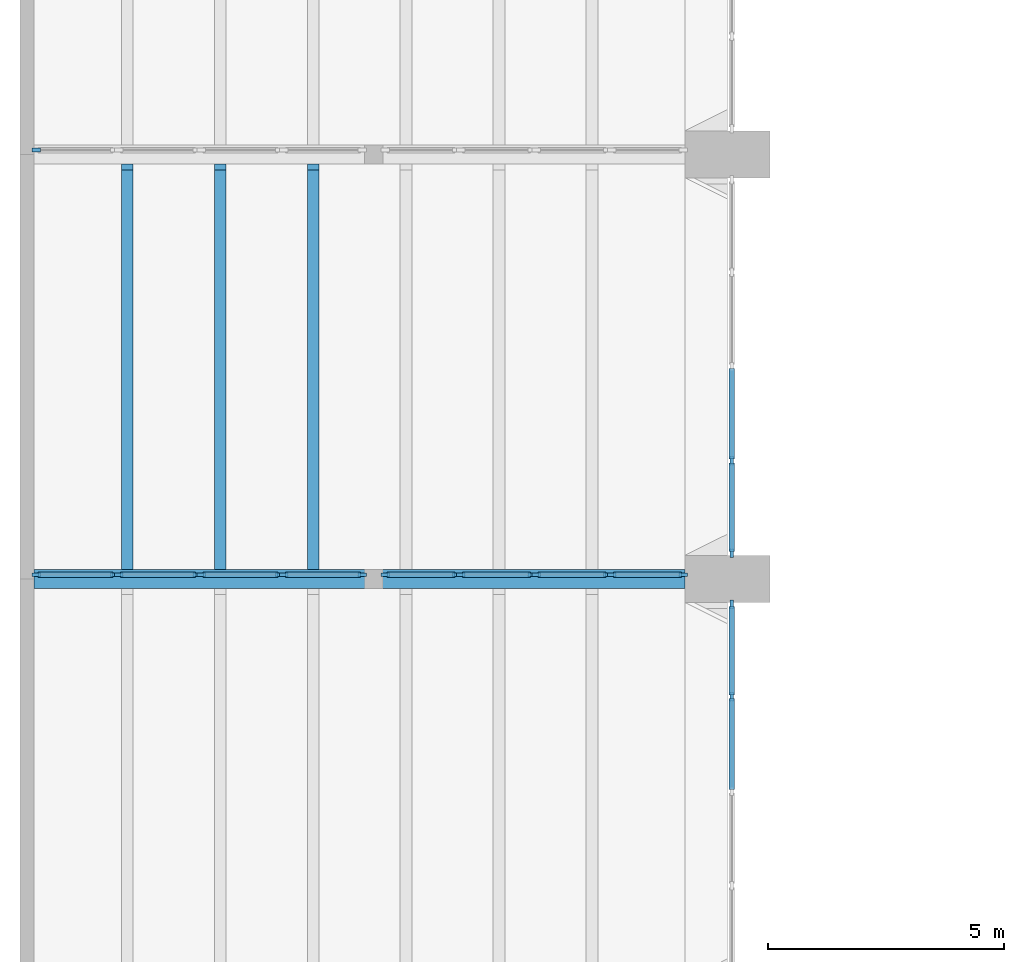
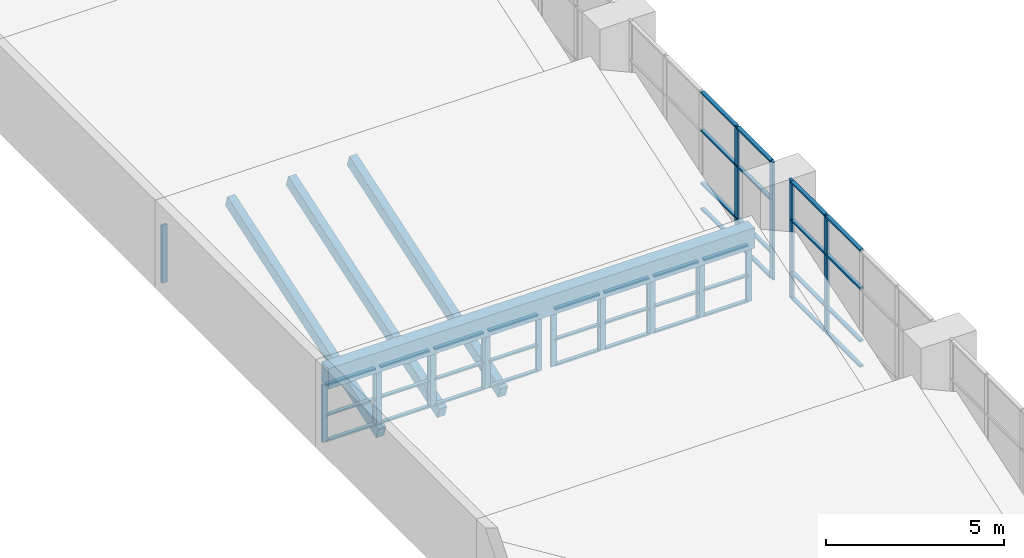
# One storey, part 8 of 43: 61 members, 4 beams, 11 elements without a shape of their own.
"""IFC4 building model written with IfcOpenShell, lengths in metres."""

from ifc_helpers import new_model, si_unit, direction, frame, origin, origin_2d, place, context, subcontext, project, spatial, rectangle, extrude, material, material_profile, profile_set, type_object, element, aggregate, save


model = new_model("IFC4")

# Units and contexts
model_context = context("Model", 3, precision=1e-05, world=origin(), true_north=direction((0.0, 1.0)))
body_context = subcontext(model_context, "Body", "Model", "MODEL_VIEW")
ifc_project = project(units=[si_unit("LENGTHUNIT", "METRE"), si_unit("AREAUNIT", "SQUARE_METRE"), si_unit("VOLUMEUNIT", "CUBIC_METRE"), si_unit("PLANEANGLEUNIT", "RADIAN"), si_unit("MASSUNIT", "GRAM", prefix="KILO")], contexts=[model_context])

# Site, building, storey
site_placement = place(None, origin())
site = spatial("IfcSite", under=ifc_project, at=site_placement, CompositionType="ELEMENT")
building_placement = place(site_placement, origin())
building = spatial("IfcBuilding", under=site, at=building_placement, Name="Elmora Arch Market Hall", CompositionType="ELEMENT")
storey_placement = place(building_placement, frame((0.0, 0.0, 10.199951171875)))
storey = spatial("IfcBuildingStorey", under=building, at=storey_placement, Name="L02", CompositionType="ELEMENT", Elevation=10.199951171875)

# Curtain wall, members
ifc_material_1 = material(Name="Aluminium", Category="aluminium")
curtain_wall_type_1 = type_object("IfcCurtainWallType", Name="Hall front curtain wall", PredefinedType="NOTDEFINED", material=ifc_material_1)
curtain_wall_1_placement = place(storey_placement, origin())
curtain_wall_1 = element("IfcCurtainWall", 1, at=curtain_wall_1_placement, inside=storey, type_object=curtain_wall_type_1, Name="Hall west glazing L02 3", PredefinedType="NOTDEFINED")
ifc_material_2 = material(Name="Aluminium", Category="aluminium")
ifc_material_profile_1 = material_profile(ifc_material_2, rectangle(XDim=0.080078125, YDim=0.179931640625, at=origin_2d()), Name="AL 80x180")
ifc_profile_set_1 = profile_set([ifc_material_profile_1], Name="Aluminium")
member_type_1 = type_object("IfcMemberType", Name="Mullion 80x180", PredefinedType="MULLION", material=ifc_profile_set_1)
member_1_placement = place(storey_placement, frame((15.090087890625, 51.5, 0.166748046875), z_axis=(0.0, 0.0, 1.0), x_axis=(-1.0, 0.0, 0.0)))
member_1 = element("IfcMember", 2, at=member_1_placement, type_object=member_type_1, Name="CW2 mullion 4", PredefinedType="MULLION", context=body_context, shape_type="SweptSolid", body=[
    extrude(rectangle(XDim=0.080078125, YDim=0.179931640625, at=origin_2d()), origin(), (0.0, 0.0, 1.0), 4.033203125),
])
member_2_placement = place(storey_placement, frame((15.090087890625, 53.4599609375, 0.166748046875), z_axis=(0.0, 0.0, 1.0), x_axis=(-1.0, 0.0, 0.0)))
member_2 = element("IfcMember", 3, at=member_2_placement, type_object=member_type_1, Name="CW2 mullion 5", PredefinedType="MULLION", context=body_context, shape_type="SweptSolid", body=[
    extrude(rectangle(XDim=0.080078125, YDim=0.179931640625, at=origin_2d()), origin(), (0.0, 0.0, 1.0), 4.033203125),
])

curtain_wall_2_placement = place(storey_placement, origin())
curtain_wall_2 = element("IfcCurtainWall", 4, at=curtain_wall_2_placement, inside=storey, type_object=curtain_wall_type_1, Name="Hall west glazing L02 4", PredefinedType="NOTDEFINED")
member_3_placement = place(storey_placement, frame((15.090087890625, 54.5400390625, 0.166748046875), z_axis=(0.0, 0.0, 1.0), x_axis=(-1.0, 0.0, 0.0)))
member_3 = element("IfcMember", 5, at=member_3_placement, type_object=member_type_1, Name="CW2 mullion 1", PredefinedType="MULLION", context=body_context, shape_type="SweptSolid", body=[
    extrude(rectangle(XDim=0.080078125, YDim=0.179931640625, at=origin_2d()), origin(), (0.0, 0.0, 1.0), 4.033203125),
])
member_4_placement = place(storey_placement, frame((15.090087890625, 56.5, 0.166748046875), z_axis=(0.0, 0.0, 1.0), x_axis=(-1.0, 0.0, 0.0)))
member_4 = element("IfcMember", 6, at=member_4_placement, type_object=member_type_1, Name="CW2 mullion 2", PredefinedType="MULLION", context=body_context, shape_type="SweptSolid", body=[
    extrude(rectangle(XDim=0.080078125, YDim=0.179931640625, at=origin_2d()), origin(), (0.0, 0.0, 1.0), 4.033203125),
])

ifc_material_3 = material(Name="Aluminium", Category="aluminium")
curtain_wall_type_2 = type_object("IfcCurtainWallType", Name="Sawtooth glazing curtain wall", PredefinedType="NOTDEFINED", material=ifc_material_3)
curtain_wall_3_placement = place(storey_placement, origin())
curtain_wall_3 = element("IfcCurtainWall", 7, at=curtain_wall_3_placement, inside=storey, type_object=curtain_wall_type_2, Name="Sawtooth riser 3 part 1.1", PredefinedType="NOTDEFINED")
member_5_placement = place(storey_placement, frame((0.340087890625, 54.090087890625, 0.030029296875), z_axis=(0.0, 0.0, 1.0), x_axis=(0.0, 1.0, 0.0)))
member_5 = element("IfcMember", 8, at=member_5_placement, type_object=member_type_1, Name="CW7 mullion 1", PredefinedType="MULLION", context=body_context, shape_type="SweptSolid", body=[
    extrude(rectangle(XDim=0.080078125, YDim=0.179931640625, at=origin_2d()), origin(), (0.0, 0.0, 1.0), 1.969970703125),
])
member_6_placement = place(storey_placement, frame((2.010009765625, 54.090087890625, 0.030029296875), z_axis=(0.0, 0.0, 1.0), x_axis=(0.0, 1.0, 0.0)))
member_6 = element("IfcMember", 9, at=member_6_placement, type_object=member_type_1, Name="CW7 mullion 2", PredefinedType="MULLION", context=body_context, shape_type="SweptSolid", body=[
    extrude(rectangle(XDim=0.080078125, YDim=0.179931640625, at=origin_2d()), origin(), (0.0, 0.0, 1.0), 1.969970703125),
])

curtain_wall_4_placement = place(storey_placement, origin())
curtain_wall_4 = element("IfcCurtainWall", 10, at=curtain_wall_4_placement, inside=storey, type_object=curtain_wall_type_2, Name="Sawtooth riser 3 part 1.2", PredefinedType="NOTDEFINED")
member_7_placement = place(storey_placement, frame((2.090087890625, 54.090087890625, 0.030029296875), z_axis=(0.0, 0.0, 1.0), x_axis=(0.0, 1.0, 0.0)))
member_7 = element("IfcMember", 11, at=member_7_placement, type_object=member_type_1, Name="CW7 mullion 1", PredefinedType="MULLION", context=body_context, shape_type="SweptSolid", body=[
    extrude(rectangle(XDim=0.080078125, YDim=0.179931640625, at=origin_2d()), origin(), (0.0, 0.0, 1.0), 1.969970703125),
])
member_8_placement = place(storey_placement, frame((3.760009765625, 54.090087890625, 0.030029296875), z_axis=(0.0, 0.0, 1.0), x_axis=(0.0, 1.0, 0.0)))
member_8 = element("IfcMember", 12, at=member_8_placement, type_object=member_type_1, Name="CW7 mullion 2", PredefinedType="MULLION", context=body_context, shape_type="SweptSolid", body=[
    extrude(rectangle(XDim=0.080078125, YDim=0.179931640625, at=origin_2d()), origin(), (0.0, 0.0, 1.0), 1.969970703125),
])

curtain_wall_5_placement = place(storey_placement, origin())
curtain_wall_5 = element("IfcCurtainWall", 13, at=curtain_wall_5_placement, inside=storey, type_object=curtain_wall_type_2, Name="Sawtooth riser 3 part 1.3", PredefinedType="NOTDEFINED")
member_9_placement = place(storey_placement, frame((3.840087890625, 54.090087890625, 0.030029296875), z_axis=(0.0, 0.0, 1.0), x_axis=(0.0, 1.0, 0.0)))
member_9 = element("IfcMember", 14, at=member_9_placement, type_object=member_type_1, Name="CW7 mullion 1", PredefinedType="MULLION", context=body_context, shape_type="SweptSolid", body=[
    extrude(rectangle(XDim=0.080078125, YDim=0.179931640625, at=origin_2d()), origin(), (0.0, 0.0, 1.0), 1.969970703125),
])
member_10_placement = place(storey_placement, frame((5.510009765625, 54.090087890625, 0.030029296875), z_axis=(0.0, 0.0, 1.0), x_axis=(0.0, 1.0, 0.0)))
member_10 = element("IfcMember", 15, at=member_10_placement, type_object=member_type_1, Name="CW7 mullion 2", PredefinedType="MULLION", context=body_context, shape_type="SweptSolid", body=[
    extrude(rectangle(XDim=0.080078125, YDim=0.179931640625, at=origin_2d()), origin(), (0.0, 0.0, 1.0), 1.969970703125),
])

curtain_wall_6_placement = place(storey_placement, origin())
curtain_wall_6 = element("IfcCurtainWall", 16, at=curtain_wall_6_placement, inside=storey, type_object=curtain_wall_type_2, Name="Sawtooth riser 3 part 1.4", PredefinedType="NOTDEFINED")
member_11_placement = place(storey_placement, frame((5.590087890625, 54.090087890625, 0.030029296875), z_axis=(0.0, 0.0, 1.0), x_axis=(0.0, 1.0, 0.0)))
member_11 = element("IfcMember", 17, at=member_11_placement, type_object=member_type_1, Name="CW7 mullion 1", PredefinedType="MULLION", context=body_context, shape_type="SweptSolid", body=[
    extrude(rectangle(XDim=0.080078125, YDim=0.179931640625, at=origin_2d()), origin(), (0.0, 0.0, 1.0), 1.969970703125),
])
member_12_placement = place(storey_placement, frame((7.260009765625, 54.090087890625, 0.030029296875), z_axis=(0.0, 0.0, 1.0), x_axis=(0.0, 1.0, 0.0)))
member_12 = element("IfcMember", 18, at=member_12_placement, type_object=member_type_1, Name="CW7 mullion 2", PredefinedType="MULLION", context=body_context, shape_type="SweptSolid", body=[
    extrude(rectangle(XDim=0.080078125, YDim=0.179931640625, at=origin_2d()), origin(), (0.0, 0.0, 1.0), 1.969970703125),
])

curtain_wall_7_placement = place(storey_placement, origin())
curtain_wall_7 = element("IfcCurtainWall", 19, at=curtain_wall_7_placement, inside=storey, type_object=curtain_wall_type_2, Name="Sawtooth riser 3 part 2.1", PredefinedType="NOTDEFINED")
member_13_placement = place(storey_placement, frame((7.739990234375, 54.090087890625, 0.030029296875), z_axis=(0.0, 0.0, 1.0), x_axis=(0.0, 1.0, 0.0)))
member_13 = element("IfcMember", 20, at=member_13_placement, type_object=member_type_1, Name="CW7 mullion 1", PredefinedType="MULLION", context=body_context, shape_type="SweptSolid", body=[
    extrude(rectangle(XDim=0.080078125, YDim=0.179931640625, at=origin_2d()), origin(), (0.0, 0.0, 1.0), 1.969970703125),
])
member_14_placement = place(storey_placement, frame((9.260009765625, 54.090087890625, 0.030029296875), z_axis=(0.0, 0.0, 1.0), x_axis=(0.0, 1.0, 0.0)))
member_14 = element("IfcMember", 21, at=member_14_placement, type_object=member_type_1, Name="CW7 mullion 2", PredefinedType="MULLION", context=body_context, shape_type="SweptSolid", body=[
    extrude(rectangle(XDim=0.080078125, YDim=0.179931640625, at=origin_2d()), origin(), (0.0, 0.0, 1.0), 1.969970703125),
])

curtain_wall_8_placement = place(storey_placement, origin())
curtain_wall_8 = element("IfcCurtainWall", 22, at=curtain_wall_8_placement, inside=storey, type_object=curtain_wall_type_2, Name="Sawtooth riser 3 part 2.2", PredefinedType="NOTDEFINED")
member_15_placement = place(storey_placement, frame((9.340087890625, 54.090087890625, 0.030029296875), z_axis=(0.0, 0.0, 1.0), x_axis=(0.0, 1.0, 0.0)))
member_15 = element("IfcMember", 23, at=member_15_placement, type_object=member_type_1, Name="CW7 mullion 1", PredefinedType="MULLION", context=body_context, shape_type="SweptSolid", body=[
    extrude(rectangle(XDim=0.080078125, YDim=0.179931640625, at=origin_2d()), origin(), (0.0, 0.0, 1.0), 1.969970703125),
])
member_16_placement = place(storey_placement, frame((10.860107421875, 54.090087890625, 0.030029296875), z_axis=(0.0, 0.0, 1.0), x_axis=(0.0, 1.0, 0.0)))
member_16 = element("IfcMember", 24, at=member_16_placement, type_object=member_type_1, Name="CW7 mullion 2", PredefinedType="MULLION", context=body_context, shape_type="SweptSolid", body=[
    extrude(rectangle(XDim=0.080078125, YDim=0.179931640625, at=origin_2d()), origin(), (0.0, 0.0, 1.0), 1.969970703125),
])

curtain_wall_9_placement = place(storey_placement, origin())
curtain_wall_9 = element("IfcCurtainWall", 25, at=curtain_wall_9_placement, inside=storey, type_object=curtain_wall_type_2, Name="Sawtooth riser 3 part 2.3", PredefinedType="NOTDEFINED")
member_17_placement = place(storey_placement, frame((10.93994140625, 54.090087890625, 0.030029296875), z_axis=(0.0, 0.0, 1.0), x_axis=(0.0, 1.0, 0.0)))
member_17 = element("IfcMember", 26, at=member_17_placement, type_object=member_type_1, Name="CW7 mullion 1", PredefinedType="MULLION", context=body_context, shape_type="SweptSolid", body=[
    extrude(rectangle(XDim=0.080078125, YDim=0.179931640625, at=origin_2d()), origin(), (0.0, 0.0, 1.0), 1.969970703125),
])
member_18_placement = place(storey_placement, frame((12.4599609375, 54.090087890625, 0.030029296875), z_axis=(0.0, 0.0, 1.0), x_axis=(0.0, 1.0, 0.0)))
member_18 = element("IfcMember", 27, at=member_18_placement, type_object=member_type_1, Name="CW7 mullion 2", PredefinedType="MULLION", context=body_context, shape_type="SweptSolid", body=[
    extrude(rectangle(XDim=0.080078125, YDim=0.179931640625, at=origin_2d()), origin(), (0.0, 0.0, 1.0), 1.969970703125),
])

curtain_wall_10_placement = place(storey_placement, origin())
curtain_wall_10 = element("IfcCurtainWall", 28, at=curtain_wall_10_placement, inside=storey, type_object=curtain_wall_type_2, Name="Sawtooth riser 3 part 2.4", PredefinedType="NOTDEFINED")
member_19_placement = place(storey_placement, frame((12.5400390625, 54.090087890625, 0.030029296875), z_axis=(0.0, 0.0, 1.0), x_axis=(0.0, 1.0, 0.0)))
member_19 = element("IfcMember", 29, at=member_19_placement, type_object=member_type_1, Name="CW7 mullion 1", PredefinedType="MULLION", context=body_context, shape_type="SweptSolid", body=[
    extrude(rectangle(XDim=0.080078125, YDim=0.179931640625, at=origin_2d()), origin(), (0.0, 0.0, 1.0), 1.969970703125),
])
member_20_placement = place(storey_placement, frame((14.06005859375, 54.090087890625, 0.030029296875), z_axis=(0.0, 0.0, 1.0), x_axis=(0.0, 1.0, 0.0)))
member_20 = element("IfcMember", 30, at=member_20_placement, type_object=member_type_1, Name="CW7 mullion 2", PredefinedType="MULLION", context=body_context, shape_type="SweptSolid", body=[
    extrude(rectangle(XDim=0.080078125, YDim=0.179931640625, at=origin_2d()), origin(), (0.0, 0.0, 1.0), 1.969970703125),
])

# Curtain wall, member
curtain_wall_11_placement = place(storey_placement, origin())
curtain_wall_11 = element("IfcCurtainWall", 31, at=curtain_wall_11_placement, inside=storey, type_object=curtain_wall_type_2, Name="Sawtooth riser 4 part 1.1", PredefinedType="NOTDEFINED")
member_21_placement = place(storey_placement, frame((0.340087890625, 63.090087890625, 0.030029296875), z_axis=(0.0, 0.0, 1.0), x_axis=(0.0, 1.0, 0.0)))
member_21 = element("IfcMember", 32, at=member_21_placement, type_object=member_type_1, Name="CW7 mullion 1", PredefinedType="MULLION", context=body_context, shape_type="SweptSolid", body=[
    extrude(rectangle(XDim=0.080078125, YDim=0.179931640625, at=origin_2d()), origin(), (0.0, 0.0, 1.0), 1.969970703125),
])
aggregate(curtain_wall_11, [member_21])

# Beams
ifc_material_4 = material(Name="Concrete C32/40", Category="concrete")
ifc_material_profile_2 = material_profile(ifc_material_4, rectangle(XDim=0.39990234375, YDim=0.699951171875, at=origin_2d()), Name="Ridge beam 400x700")
ifc_profile_set_2 = profile_set([ifc_material_profile_2], Name="Concrete C32/40")
beam_type_1 = type_object("IfcBeamType", Name="Ridge beam 400x700", PredefinedType="BEAM", material=ifc_profile_set_2)
beam_placement = place(storey_placement, frame((0.300048828125, 54.0, 2.35009765625), z_axis=(1.0, 0.0, 0.0), x_axis=(0.0, 1.0, 0.0)))
element("IfcBeam", 33, at=beam_placement, inside=storey, type_object=beam_type_1, Name="Ridge beam RB3 L02.1", PredefinedType="BEAM", context=body_context, shape_type="SweptSolid", body=[
    extrude(rectangle(XDim=0.39990234375, YDim=0.699951171875, at=origin_2d()), origin(), (0.0, 0.0, 1.0), 13.800048828125),
])
ifc_material_5 = material(Name="Concrete C32/40", Category="concrete")
ifc_material_profile_3 = material_profile(ifc_material_5, rectangle(XDim=0.25, YDim=0.39990234375, at=origin_2d()), Name="Sawtooth rafter 250x400")
ifc_profile_set_3 = profile_set([ifc_material_profile_3], Name="Concrete C32/40")
beam_type_2 = type_object("IfcBeamType", Name="Sawtooth rafter 250x400", PredefinedType="BEAM", material=ifc_profile_set_3)
for number, where, z_axis, x_axis, name in (
    (34, (2.271484375, 54.26318359375, -0.443115234375), (0.0, 0.94868603135, 0.316219565999), (-1.0, 0.0, 0.0), "Sawtooth rafter 4.1"),
    (35, (4.242919921875, 54.26318359375, -0.443115234375), (0.0, 0.94868603135, 0.316219565999), (-1.0, 0.0, 0.0), "Sawtooth rafter 4.2"),
    (36, (6.21435546875, 54.26318359375, -0.443115234375), (0.0, 0.94868603135, 0.316219565999), (-1.0, 0.0, 0.0), "Sawtooth rafter 4.3"),
):
    element("IfcBeam", number, at=place(storey_placement, frame(where, z_axis=z_axis, x_axis=x_axis)), inside=storey, type_object=beam_type_2, Name=name, PredefinedType="BEAM", context=body_context, shape_type="SweptSolid", body=[
        extrude(rectangle(XDim=0.25, YDim=0.39990234375, at=origin_2d()), origin(), (0.0, 0.0, 1.0), 8.931884765625),
    ])

# Member
ifc_material_6 = material(Name="Aluminium", Category="aluminium")
ifc_material_profile_4 = material_profile(ifc_material_6, rectangle(XDim=0.1201171875, YDim=0.06005859375, at=origin_2d()), Name="AL 120x60")
ifc_profile_set_4 = profile_set([ifc_material_profile_4], Name="Aluminium")
member_type_2 = type_object("IfcMemberType", Name="Transom 120x60", PredefinedType="USERDEFINED", material=ifc_profile_set_4)
member_22_placement = place(storey_placement, frame((15.090087890625, 49.5400390625, 0.19677734375), z_axis=(0.0, 1.0, 0.0), x_axis=(-1.0, 0.0, 0.0)))
member_22 = element("IfcMember", 37, at=member_22_placement, type_object=member_type_2, Name="CW2 transom 3.1", ObjectType="TRANSOM", PredefinedType="USERDEFINED", context=body_context, shape_type="SweptSolid", body=[
    extrude(rectangle(XDim=0.1201171875, YDim=0.06005859375, at=origin_2d()), origin(), (0.0, 0.0, 1.0), 1.919921875),
])

member_23_placement = place(storey_placement, frame((15.090087890625, 49.5400390625, 1.066650390625), z_axis=(0.0, 1.0, 0.0), x_axis=(-1.0, 0.0, 0.0)))
member_23 = element("IfcMember", 38, at=member_23_placement, type_object=member_type_2, Name="CW2 transom 3.2", ObjectType="TRANSOM", PredefinedType="USERDEFINED", context=body_context, shape_type="SweptSolid", body=[
    extrude(rectangle(XDim=0.1201171875, YDim=0.06005859375, at=origin_2d()), origin(), (0.0, 0.0, 1.0), 1.919921875),
])

member_24_placement = place(storey_placement, frame((15.090087890625, 49.5400390625, 2.86669921875), z_axis=(0.0, 1.0, 0.0), x_axis=(-1.0, 0.0, 0.0)))
member_24 = element("IfcMember", 39, at=member_24_placement, type_object=member_type_2, Name="CW2 transom 3.3", ObjectType="TRANSOM", PredefinedType="USERDEFINED", context=body_context, shape_type="SweptSolid", body=[
    extrude(rectangle(XDim=0.1201171875, YDim=0.06005859375, at=origin_2d()), origin(), (0.0, 0.0, 1.0), 1.919921875),
])

member_25_placement = place(storey_placement, frame((15.090087890625, 49.5400390625, 4.170166015625), z_axis=(0.0, 1.0, 0.0), x_axis=(-1.0, 0.0, 0.0)))
member_25 = element("IfcMember", 40, at=member_25_placement, type_object=member_type_2, Name="CW2 transom 3.4", ObjectType="TRANSOM", PredefinedType="USERDEFINED", context=body_context, shape_type="SweptSolid", body=[
    extrude(rectangle(XDim=0.1201171875, YDim=0.06005859375, at=origin_2d()), origin(), (0.0, 0.0, 1.0), 1.919921875),
])

member_26_placement = place(storey_placement, frame((15.090087890625, 51.5400390625, 0.19677734375), z_axis=(0.0, 1.0, 0.0), x_axis=(-1.0, 0.0, 0.0)))
member_26 = element("IfcMember", 41, at=member_26_placement, type_object=member_type_2, Name="CW2 transom 4.1", ObjectType="TRANSOM", PredefinedType="USERDEFINED", context=body_context, shape_type="SweptSolid", body=[
    extrude(rectangle(XDim=0.1201171875, YDim=0.06005859375, at=origin_2d()), origin(), (0.0, 0.0, 1.0), 1.8798828125),
])

member_27_placement = place(storey_placement, frame((15.090087890625, 51.5400390625, 1.066650390625), z_axis=(0.0, 1.0, 0.0), x_axis=(-1.0, 0.0, 0.0)))
member_27 = element("IfcMember", 42, at=member_27_placement, type_object=member_type_2, Name="CW2 transom 4.2", ObjectType="TRANSOM", PredefinedType="USERDEFINED", context=body_context, shape_type="SweptSolid", body=[
    extrude(rectangle(XDim=0.1201171875, YDim=0.06005859375, at=origin_2d()), origin(), (0.0, 0.0, 1.0), 1.8798828125),
])

member_28_placement = place(storey_placement, frame((15.090087890625, 51.5400390625, 2.86669921875), z_axis=(0.0, 1.0, 0.0), x_axis=(-1.0, 0.0, 0.0)))
member_28 = element("IfcMember", 43, at=member_28_placement, type_object=member_type_2, Name="CW2 transom 4.3", ObjectType="TRANSOM", PredefinedType="USERDEFINED", context=body_context, shape_type="SweptSolid", body=[
    extrude(rectangle(XDim=0.1201171875, YDim=0.06005859375, at=origin_2d()), origin(), (0.0, 0.0, 1.0), 1.8798828125),
])

member_29_placement = place(storey_placement, frame((15.090087890625, 51.5400390625, 4.170166015625), z_axis=(0.0, 1.0, 0.0), x_axis=(-1.0, 0.0, 0.0)))
member_29 = element("IfcMember", 44, at=member_29_placement, type_object=member_type_2, Name="CW2 transom 4.4", ObjectType="TRANSOM", PredefinedType="USERDEFINED", context=body_context, shape_type="SweptSolid", body=[
    extrude(rectangle(XDim=0.1201171875, YDim=0.06005859375, at=origin_2d()), origin(), (0.0, 0.0, 1.0), 1.8798828125),
])

aggregate(curtain_wall_1, [member_1, member_2, member_22, member_23, member_24, member_25, member_26, member_27, member_28, member_29])

member_30_placement = place(storey_placement, frame((15.090087890625, 54.580078125, 0.19677734375), z_axis=(0.0, 1.0, 0.0), x_axis=(-1.0, 0.0, 0.0)))
member_30 = element("IfcMember", 45, at=member_30_placement, type_object=member_type_2, Name="CW2 transom 1.1", ObjectType="TRANSOM", PredefinedType="USERDEFINED", context=body_context, shape_type="SweptSolid", body=[
    extrude(rectangle(XDim=0.1201171875, YDim=0.06005859375, at=origin_2d()), origin(), (0.0, 0.0, 1.0), 1.8798828125),
])

member_31_placement = place(storey_placement, frame((15.090087890625, 54.580078125, 1.066650390625), z_axis=(0.0, 1.0, 0.0), x_axis=(-1.0, 0.0, 0.0)))
member_31 = element("IfcMember", 46, at=member_31_placement, type_object=member_type_2, Name="CW2 transom 1.2", ObjectType="TRANSOM", PredefinedType="USERDEFINED", context=body_context, shape_type="SweptSolid", body=[
    extrude(rectangle(XDim=0.1201171875, YDim=0.06005859375, at=origin_2d()), origin(), (0.0, 0.0, 1.0), 1.8798828125),
])

member_32_placement = place(storey_placement, frame((15.090087890625, 54.580078125, 2.86669921875), z_axis=(0.0, 1.0, 0.0), x_axis=(-1.0, 0.0, 0.0)))
member_32 = element("IfcMember", 47, at=member_32_placement, type_object=member_type_2, Name="CW2 transom 1.3", ObjectType="TRANSOM", PredefinedType="USERDEFINED", context=body_context, shape_type="SweptSolid", body=[
    extrude(rectangle(XDim=0.1201171875, YDim=0.06005859375, at=origin_2d()), origin(), (0.0, 0.0, 1.0), 1.8798828125),
])

member_33_placement = place(storey_placement, frame((15.090087890625, 54.580078125, 4.170166015625), z_axis=(0.0, 1.0, 0.0), x_axis=(-1.0, 0.0, 0.0)))
member_33 = element("IfcMember", 48, at=member_33_placement, type_object=member_type_2, Name="CW2 transom 1.4", ObjectType="TRANSOM", PredefinedType="USERDEFINED", context=body_context, shape_type="SweptSolid", body=[
    extrude(rectangle(XDim=0.1201171875, YDim=0.06005859375, at=origin_2d()), origin(), (0.0, 0.0, 1.0), 1.8798828125),
])

member_34_placement = place(storey_placement, frame((15.090087890625, 56.5400390625, 0.19677734375), z_axis=(0.0, 1.0, 0.0), x_axis=(-1.0, 0.0, 0.0)))
member_34 = element("IfcMember", 49, at=member_34_placement, type_object=member_type_2, Name="CW2 transom 2.1", ObjectType="TRANSOM", PredefinedType="USERDEFINED", context=body_context, shape_type="SweptSolid", body=[
    extrude(rectangle(XDim=0.1201171875, YDim=0.06005859375, at=origin_2d()), origin(), (0.0, 0.0, 1.0), 1.919921875),
])

member_35_placement = place(storey_placement, frame((15.090087890625, 56.5400390625, 1.066650390625), z_axis=(0.0, 1.0, 0.0), x_axis=(-1.0, 0.0, 0.0)))
member_35 = element("IfcMember", 50, at=member_35_placement, type_object=member_type_2, Name="CW2 transom 2.2", ObjectType="TRANSOM", PredefinedType="USERDEFINED", context=body_context, shape_type="SweptSolid", body=[
    extrude(rectangle(XDim=0.1201171875, YDim=0.06005859375, at=origin_2d()), origin(), (0.0, 0.0, 1.0), 1.919921875),
])

member_36_placement = place(storey_placement, frame((15.090087890625, 56.5400390625, 2.86669921875), z_axis=(0.0, 1.0, 0.0), x_axis=(-1.0, 0.0, 0.0)))
member_36 = element("IfcMember", 51, at=member_36_placement, type_object=member_type_2, Name="CW2 transom 2.3", ObjectType="TRANSOM", PredefinedType="USERDEFINED", context=body_context, shape_type="SweptSolid", body=[
    extrude(rectangle(XDim=0.1201171875, YDim=0.06005859375, at=origin_2d()), origin(), (0.0, 0.0, 1.0), 1.919921875),
])

member_37_placement = place(storey_placement, frame((15.090087890625, 56.5400390625, 4.170166015625), z_axis=(0.0, 1.0, 0.0), x_axis=(-1.0, 0.0, 0.0)))
member_37 = element("IfcMember", 52, at=member_37_placement, type_object=member_type_2, Name="CW2 transom 2.4", ObjectType="TRANSOM", PredefinedType="USERDEFINED", context=body_context, shape_type="SweptSolid", body=[
    extrude(rectangle(XDim=0.1201171875, YDim=0.06005859375, at=origin_2d()), origin(), (0.0, 0.0, 1.0), 1.919921875),
])

aggregate(curtain_wall_2, [member_3, member_4, member_30, member_31, member_32, member_33, member_34, member_35, member_36, member_37])

member_38_placement = place(storey_placement, frame((0.3798828125, 54.090087890625, 0.06005859375), z_axis=(1.0, 0.0, 0.0), x_axis=(0.0, 1.0, 0.0)))
member_38 = element("IfcMember", 53, at=member_38_placement, type_object=member_type_2, Name="CW7 transom 1.1", ObjectType="TRANSOM", PredefinedType="USERDEFINED", context=body_context, shape_type="SweptSolid", body=[
    extrude(rectangle(XDim=0.1201171875, YDim=0.06005859375, at=origin_2d()), origin(), (0.0, 0.0, 1.0), 1.590087890625),
])

member_39_placement = place(storey_placement, frame((0.3798828125, 54.090087890625, 0.929931640625), z_axis=(1.0, 0.0, 0.0), x_axis=(0.0, 1.0, 0.0)))
member_39 = element("IfcMember", 54, at=member_39_placement, type_object=member_type_2, Name="CW7 transom 1.2", ObjectType="TRANSOM", PredefinedType="USERDEFINED", context=body_context, shape_type="SweptSolid", body=[
    extrude(rectangle(XDim=0.1201171875, YDim=0.06005859375, at=origin_2d()), origin(), (0.0, 0.0, 1.0), 1.590087890625),
])

member_40_placement = place(storey_placement, frame((0.3798828125, 54.090087890625, 1.969970703125), z_axis=(1.0, 0.0, 0.0), x_axis=(0.0, 1.0, 0.0)))
member_40 = element("IfcMember", 55, at=member_40_placement, type_object=member_type_2, Name="CW7 transom 1.3", ObjectType="TRANSOM", PredefinedType="USERDEFINED", context=body_context, shape_type="SweptSolid", body=[
    extrude(rectangle(XDim=0.1201171875, YDim=0.06005859375, at=origin_2d()), origin(), (0.0, 0.0, 1.0), 1.590087890625),
])

aggregate(curtain_wall_3, [member_5, member_6, member_38, member_39, member_40])

member_41_placement = place(storey_placement, frame((2.1298828125, 54.090087890625, 0.06005859375), z_axis=(1.0, 0.0, 0.0), x_axis=(0.0, 1.0, 0.0)))
member_41 = element("IfcMember", 56, at=member_41_placement, type_object=member_type_2, Name="CW7 transom 1.1", ObjectType="TRANSOM", PredefinedType="USERDEFINED", context=body_context, shape_type="SweptSolid", body=[
    extrude(rectangle(XDim=0.1201171875, YDim=0.06005859375, at=origin_2d()), origin(), (0.0, 0.0, 1.0), 1.590087890625),
])

member_42_placement = place(storey_placement, frame((2.1298828125, 54.090087890625, 0.929931640625), z_axis=(1.0, 0.0, 0.0), x_axis=(0.0, 1.0, 0.0)))
member_42 = element("IfcMember", 57, at=member_42_placement, type_object=member_type_2, Name="CW7 transom 1.2", ObjectType="TRANSOM", PredefinedType="USERDEFINED", context=body_context, shape_type="SweptSolid", body=[
    extrude(rectangle(XDim=0.1201171875, YDim=0.06005859375, at=origin_2d()), origin(), (0.0, 0.0, 1.0), 1.590087890625),
])

member_43_placement = place(storey_placement, frame((2.1298828125, 54.090087890625, 1.969970703125), z_axis=(1.0, 0.0, 0.0), x_axis=(0.0, 1.0, 0.0)))
member_43 = element("IfcMember", 58, at=member_43_placement, type_object=member_type_2, Name="CW7 transom 1.3", ObjectType="TRANSOM", PredefinedType="USERDEFINED", context=body_context, shape_type="SweptSolid", body=[
    extrude(rectangle(XDim=0.1201171875, YDim=0.06005859375, at=origin_2d()), origin(), (0.0, 0.0, 1.0), 1.590087890625),
])

aggregate(curtain_wall_4, [member_7, member_8, member_41, member_42, member_43])

member_44_placement = place(storey_placement, frame((3.8798828125, 54.090087890625, 0.06005859375), z_axis=(1.0, 0.0, 0.0), x_axis=(0.0, 1.0, 0.0)))
member_44 = element("IfcMember", 59, at=member_44_placement, type_object=member_type_2, Name="CW7 transom 1.1", ObjectType="TRANSOM", PredefinedType="USERDEFINED", context=body_context, shape_type="SweptSolid", body=[
    extrude(rectangle(XDim=0.1201171875, YDim=0.06005859375, at=origin_2d()), origin(), (0.0, 0.0, 1.0), 1.590087890625),
])

member_45_placement = place(storey_placement, frame((3.8798828125, 54.090087890625, 0.929931640625), z_axis=(1.0, 0.0, 0.0), x_axis=(0.0, 1.0, 0.0)))
member_45 = element("IfcMember", 60, at=member_45_placement, type_object=member_type_2, Name="CW7 transom 1.2", ObjectType="TRANSOM", PredefinedType="USERDEFINED", context=body_context, shape_type="SweptSolid", body=[
    extrude(rectangle(XDim=0.1201171875, YDim=0.06005859375, at=origin_2d()), origin(), (0.0, 0.0, 1.0), 1.590087890625),
])

member_46_placement = place(storey_placement, frame((3.8798828125, 54.090087890625, 1.969970703125), z_axis=(1.0, 0.0, 0.0), x_axis=(0.0, 1.0, 0.0)))
member_46 = element("IfcMember", 61, at=member_46_placement, type_object=member_type_2, Name="CW7 transom 1.3", ObjectType="TRANSOM", PredefinedType="USERDEFINED", context=body_context, shape_type="SweptSolid", body=[
    extrude(rectangle(XDim=0.1201171875, YDim=0.06005859375, at=origin_2d()), origin(), (0.0, 0.0, 1.0), 1.590087890625),
])

aggregate(curtain_wall_5, [member_9, member_10, member_44, member_45, member_46])

member_47_placement = place(storey_placement, frame((5.6298828125, 54.090087890625, 0.06005859375), z_axis=(1.0, 0.0, 0.0), x_axis=(0.0, 1.0, 0.0)))
member_47 = element("IfcMember", 62, at=member_47_placement, type_object=member_type_2, Name="CW7 transom 1.1", ObjectType="TRANSOM", PredefinedType="USERDEFINED", context=body_context, shape_type="SweptSolid", body=[
    extrude(rectangle(XDim=0.1201171875, YDim=0.06005859375, at=origin_2d()), origin(), (0.0, 0.0, 1.0), 1.590087890625),
])

member_48_placement = place(storey_placement, frame((5.6298828125, 54.090087890625, 0.929931640625), z_axis=(1.0, 0.0, 0.0), x_axis=(0.0, 1.0, 0.0)))
member_48 = element("IfcMember", 63, at=member_48_placement, type_object=member_type_2, Name="CW7 transom 1.2", ObjectType="TRANSOM", PredefinedType="USERDEFINED", context=body_context, shape_type="SweptSolid", body=[
    extrude(rectangle(XDim=0.1201171875, YDim=0.06005859375, at=origin_2d()), origin(), (0.0, 0.0, 1.0), 1.590087890625),
])

member_49_placement = place(storey_placement, frame((5.6298828125, 54.090087890625, 1.969970703125), z_axis=(1.0, 0.0, 0.0), x_axis=(0.0, 1.0, 0.0)))
member_49 = element("IfcMember", 64, at=member_49_placement, type_object=member_type_2, Name="CW7 transom 1.3", ObjectType="TRANSOM", PredefinedType="USERDEFINED", context=body_context, shape_type="SweptSolid", body=[
    extrude(rectangle(XDim=0.1201171875, YDim=0.06005859375, at=origin_2d()), origin(), (0.0, 0.0, 1.0), 1.590087890625),
])

aggregate(curtain_wall_6, [member_11, member_12, member_47, member_48, member_49])

member_50_placement = place(storey_placement, frame((7.780029296875, 54.090087890625, 0.06005859375), z_axis=(1.0, 0.0, 0.0), x_axis=(0.0, 1.0, 0.0)))
member_50 = element("IfcMember", 65, at=member_50_placement, type_object=member_type_2, Name="CW7 transom 1.1", ObjectType="TRANSOM", PredefinedType="USERDEFINED", context=body_context, shape_type="SweptSolid", body=[
    extrude(rectangle(XDim=0.1201171875, YDim=0.06005859375, at=origin_2d()), origin(), (0.0, 0.0, 1.0), 1.43994140625),
])

member_51_placement = place(storey_placement, frame((7.780029296875, 54.090087890625, 0.929931640625), z_axis=(1.0, 0.0, 0.0), x_axis=(0.0, 1.0, 0.0)))
member_51 = element("IfcMember", 66, at=member_51_placement, type_object=member_type_2, Name="CW7 transom 1.2", ObjectType="TRANSOM", PredefinedType="USERDEFINED", context=body_context, shape_type="SweptSolid", body=[
    extrude(rectangle(XDim=0.1201171875, YDim=0.06005859375, at=origin_2d()), origin(), (0.0, 0.0, 1.0), 1.43994140625),
])

member_52_placement = place(storey_placement, frame((7.780029296875, 54.090087890625, 1.969970703125), z_axis=(1.0, 0.0, 0.0), x_axis=(0.0, 1.0, 0.0)))
member_52 = element("IfcMember", 67, at=member_52_placement, type_object=member_type_2, Name="CW7 transom 1.3", ObjectType="TRANSOM", PredefinedType="USERDEFINED", context=body_context, shape_type="SweptSolid", body=[
    extrude(rectangle(XDim=0.1201171875, YDim=0.06005859375, at=origin_2d()), origin(), (0.0, 0.0, 1.0), 1.43994140625),
])

aggregate(curtain_wall_7, [member_13, member_14, member_50, member_51, member_52])

member_53_placement = place(storey_placement, frame((9.3798828125, 54.090087890625, 0.06005859375), z_axis=(1.0, 0.0, 0.0), x_axis=(0.0, 1.0, 0.0)))
member_53 = element("IfcMember", 68, at=member_53_placement, type_object=member_type_2, Name="CW7 transom 1.1", ObjectType="TRANSOM", PredefinedType="USERDEFINED", context=body_context, shape_type="SweptSolid", body=[
    extrude(rectangle(XDim=0.1201171875, YDim=0.06005859375, at=origin_2d()), origin(), (0.0, 0.0, 1.0), 1.440185546875),
])

member_54_placement = place(storey_placement, frame((9.3798828125, 54.090087890625, 0.929931640625), z_axis=(1.0, 0.0, 0.0), x_axis=(0.0, 1.0, 0.0)))
member_54 = element("IfcMember", 69, at=member_54_placement, type_object=member_type_2, Name="CW7 transom 1.2", ObjectType="TRANSOM", PredefinedType="USERDEFINED", context=body_context, shape_type="SweptSolid", body=[
    extrude(rectangle(XDim=0.1201171875, YDim=0.06005859375, at=origin_2d()), origin(), (0.0, 0.0, 1.0), 1.440185546875),
])

member_55_placement = place(storey_placement, frame((9.3798828125, 54.090087890625, 1.969970703125), z_axis=(1.0, 0.0, 0.0), x_axis=(0.0, 1.0, 0.0)))
member_55 = element("IfcMember", 70, at=member_55_placement, type_object=member_type_2, Name="CW7 transom 1.3", ObjectType="TRANSOM", PredefinedType="USERDEFINED", context=body_context, shape_type="SweptSolid", body=[
    extrude(rectangle(XDim=0.1201171875, YDim=0.06005859375, at=origin_2d()), origin(), (0.0, 0.0, 1.0), 1.440185546875),
])

aggregate(curtain_wall_8, [member_15, member_16, member_53, member_54, member_55])

member_56_placement = place(storey_placement, frame((10.97998046875, 54.090087890625, 0.06005859375), z_axis=(1.0, 0.0, 0.0), x_axis=(0.0, 1.0, 0.0)))
member_56 = element("IfcMember", 71, at=member_56_placement, type_object=member_type_2, Name="CW7 transom 1.1", ObjectType="TRANSOM", PredefinedType="USERDEFINED", context=body_context, shape_type="SweptSolid", body=[
    extrude(rectangle(XDim=0.1201171875, YDim=0.06005859375, at=origin_2d()), origin(), (0.0, 0.0, 1.0), 1.43994140625),
])

member_57_placement = place(storey_placement, frame((10.97998046875, 54.090087890625, 0.929931640625), z_axis=(1.0, 0.0, 0.0), x_axis=(0.0, 1.0, 0.0)))
member_57 = element("IfcMember", 72, at=member_57_placement, type_object=member_type_2, Name="CW7 transom 1.2", ObjectType="TRANSOM", PredefinedType="USERDEFINED", context=body_context, shape_type="SweptSolid", body=[
    extrude(rectangle(XDim=0.1201171875, YDim=0.06005859375, at=origin_2d()), origin(), (0.0, 0.0, 1.0), 1.43994140625),
])

member_58_placement = place(storey_placement, frame((10.97998046875, 54.090087890625, 1.969970703125), z_axis=(1.0, 0.0, 0.0), x_axis=(0.0, 1.0, 0.0)))
member_58 = element("IfcMember", 73, at=member_58_placement, type_object=member_type_2, Name="CW7 transom 1.3", ObjectType="TRANSOM", PredefinedType="USERDEFINED", context=body_context, shape_type="SweptSolid", body=[
    extrude(rectangle(XDim=0.1201171875, YDim=0.06005859375, at=origin_2d()), origin(), (0.0, 0.0, 1.0), 1.43994140625),
])

aggregate(curtain_wall_9, [member_17, member_18, member_56, member_57, member_58])

member_59_placement = place(storey_placement, frame((12.580078125, 54.090087890625, 0.06005859375), z_axis=(1.0, 0.0, 0.0), x_axis=(0.0, 1.0, 0.0)))
member_59 = element("IfcMember", 74, at=member_59_placement, type_object=member_type_2, Name="CW7 transom 1.1", ObjectType="TRANSOM", PredefinedType="USERDEFINED", context=body_context, shape_type="SweptSolid", body=[
    extrude(rectangle(XDim=0.1201171875, YDim=0.06005859375, at=origin_2d()), origin(), (0.0, 0.0, 1.0), 1.43994140625),
])

member_60_placement = place(storey_placement, frame((12.580078125, 54.090087890625, 0.929931640625), z_axis=(1.0, 0.0, 0.0), x_axis=(0.0, 1.0, 0.0)))
member_60 = element("IfcMember", 75, at=member_60_placement, type_object=member_type_2, Name="CW7 transom 1.2", ObjectType="TRANSOM", PredefinedType="USERDEFINED", context=body_context, shape_type="SweptSolid", body=[
    extrude(rectangle(XDim=0.1201171875, YDim=0.06005859375, at=origin_2d()), origin(), (0.0, 0.0, 1.0), 1.43994140625),
])

member_61_placement = place(storey_placement, frame((12.580078125, 54.090087890625, 1.969970703125), z_axis=(1.0, 0.0, 0.0), x_axis=(0.0, 1.0, 0.0)))
member_61 = element("IfcMember", 76, at=member_61_placement, type_object=member_type_2, Name="CW7 transom 1.3", ObjectType="TRANSOM", PredefinedType="USERDEFINED", context=body_context, shape_type="SweptSolid", body=[
    extrude(rectangle(XDim=0.1201171875, YDim=0.06005859375, at=origin_2d()), origin(), (0.0, 0.0, 1.0), 1.43994140625),
])

aggregate(curtain_wall_10, [member_19, member_20, member_59, member_60, member_61])

save(model, "model.ifc")
